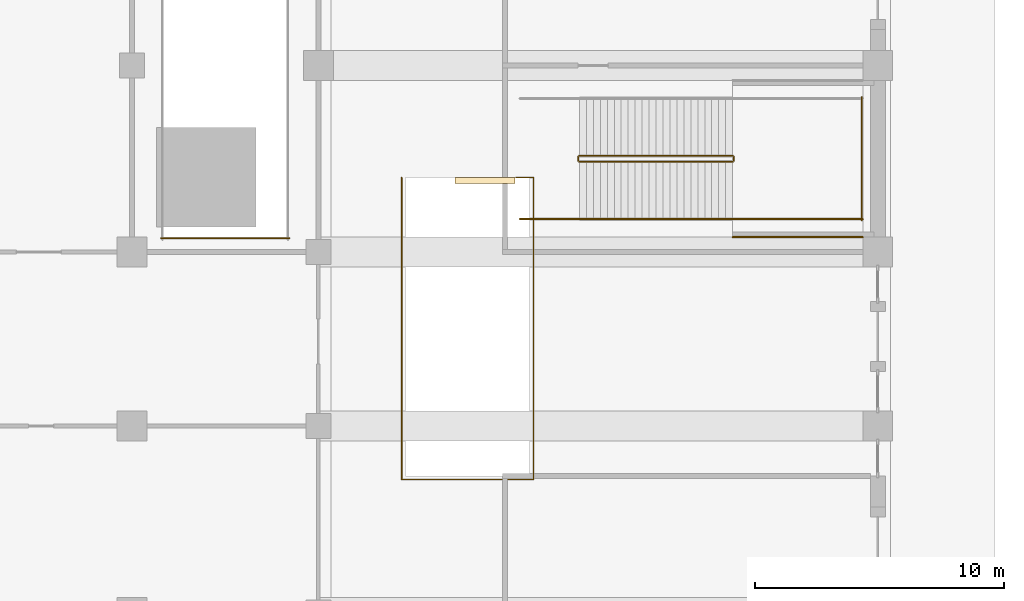
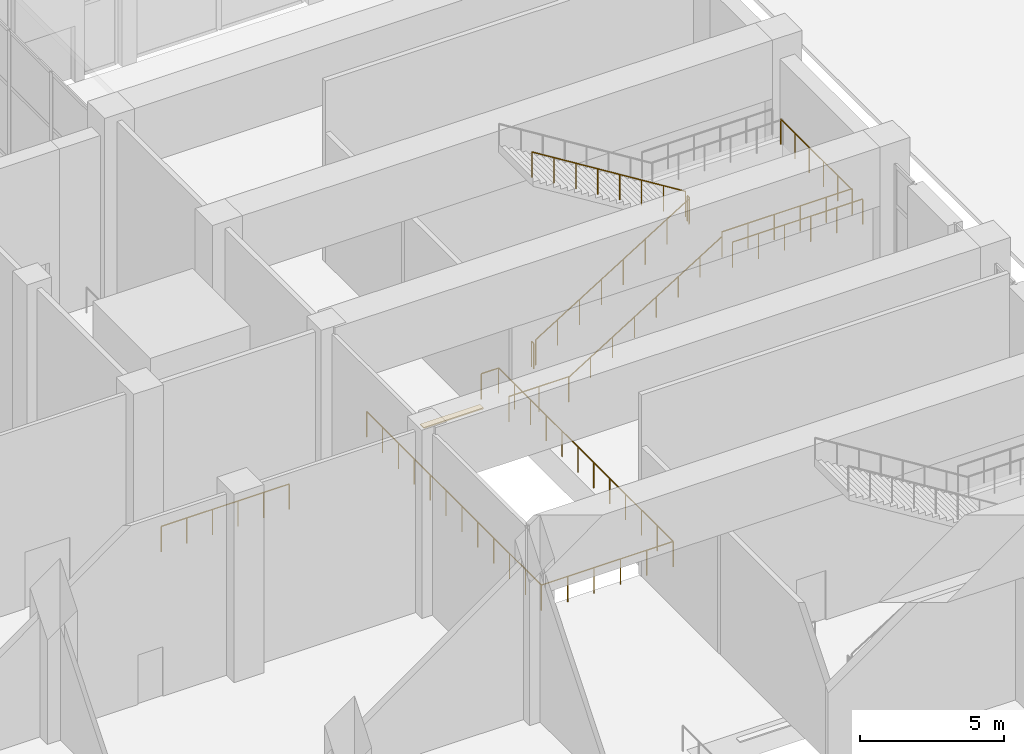
# One storey, part 50 of 57: 11 railings, 1 covering.
"""IFC4 building model written with IfcOpenShell, lengths in metres."""

from ifc_helpers import new_model, si_unit, direction, frame, origin, origin_2d, place, context, subcontext, project, spatial, polyline, circle, outline, extrude, material, layer, layer_set, type_object, element, save


model = new_model("IFC4")

# Units and contexts
model_context = context("Model", 3, precision=1e-05, world=origin(), true_north=direction((0.0, 1.0)))
body_context = subcontext(model_context, "Body", "Model", "MODEL_VIEW")
ifc_project = project(units=[si_unit("LENGTHUNIT", "METRE"), si_unit("AREAUNIT", "SQUARE_METRE"), si_unit("VOLUMEUNIT", "CUBIC_METRE"), si_unit("PLANEANGLEUNIT", "RADIAN"), si_unit("MASSUNIT", "GRAM", prefix="KILO")], contexts=[model_context])

# Site, building, storey
site_placement = place(None, origin())
site = spatial("IfcSite", under=ifc_project, at=site_placement, CompositionType="ELEMENT")
building_placement = place(site_placement, origin())
building = spatial("IfcBuilding", under=site, at=building_placement, Name="Tamorin Gate", CompositionType="ELEMENT")
storey_placement = place(building_placement, origin())
storey = spatial("IfcBuildingStorey", under=building, at=storey_placement, Name="L00", CompositionType="ELEMENT", Elevation=0.0)

# Covering
ifc_material_1 = material(Name="Steel, galvanised", Category="steel")
ifc_layer = layer(ifc_material_1, 0.050048828125)
ifc_layer_set = layer_set([ifc_layer], Name="Escalator landing plate 50")
covering_type = type_object("IfcCoveringType", Name="Escalator landing plate 50", PredefinedType="FLOORING", material=ifc_layer_set)
covering_placement = place(storey_placement, frame((0.0, 0.0, -0.25)))
element("IfcCovering", 1, at=covering_placement, inside=storey, type_object=covering_type, Name="Escalator landing plate", PredefinedType="FLOORING", context=body_context, shape_type="SweptSolid", body=[
    extrude(outline(polyline([(95.0, 99.75), (97.39990234375, 99.75), (97.39990234375, 100.0), (95.0, 100.0), (95.0, 99.75)])), origin(), (0.0, 0.0, 1.0), 0.050048828125),
])

# Railings
ifc_material_2 = material(Name="Steel", Category="steel")
railing_type_1 = type_object("IfcRailingType", Name="Podium guard 1100", PredefinedType="GUARDRAIL", material=ifc_material_2)
railing_1_placement = place(storey_placement, frame((100.0, 100.625, 0.173828125)))
element("IfcRailing", 2, at=railing_1_placement, inside=storey, type_object=railing_type_1, Name="L00 PS4 stair guard 1", PredefinedType="GUARDRAIL", context=body_context, shape_type="SweptSolid", body=[
    extrude(circle(Radius=0.02392578125, at=origin_2d()), frame((0.0, 0.0, 1.076171875), z_axis=(0.849468459523, 0.0, 0.527639399851), x_axis=(0.0, 1.0, 0.0)), (0.0, 0.0, 1.0), 7.25146484375),
    extrude(circle(Radius=0.02099609375, at=origin_2d()), origin(), (0.0, 0.0, 1.0), 1.052001953125),
    extrude(circle(Radius=0.02099609375, at=origin_2d()), frame((0.8798828125, 0.0, 0.546630859375)), (0.0, 0.0, 1.0), 1.052001953125),
    extrude(circle(Radius=0.02099609375, at=origin_2d()), frame((1.760009765625, 0.0, 1.09326171875)), (0.0, 0.0, 1.0), 1.052001953125),
    extrude(circle(Radius=0.02099609375, at=origin_2d()), frame((2.639892578125, 0.0, 1.639892578125)), (0.0, 0.0, 1.0), 1.052001953125),
    extrude(circle(Radius=0.02099609375, at=origin_2d()), frame((3.52001953125, 0.0, 2.186279296875)), (0.0, 0.0, 1.0), 1.052001953125),
    extrude(circle(Radius=0.02099609375, at=origin_2d()), frame((4.39990234375, 0.0, 2.73291015625)), (0.0, 0.0, 1.0), 1.052001953125),
    extrude(circle(Radius=0.02099609375, at=origin_2d()), frame((5.280029296875, 0.0, 3.279541015625)), (0.0, 0.0, 1.0), 1.052001953125),
    extrude(circle(Radius=0.02099609375, at=origin_2d()), frame((6.159912109375, 0.0, 3.826171875)), (0.0, 0.0, 1.0), 1.052001953125),
])
railing_2_placement = place(storey_placement, frame((106.2099609375, 100.675048828125, 4.0)))
element("IfcRailing", 3, at=railing_2_placement, inside=storey, type_object=railing_type_1, Name="L00 PS4 stair guard 2", PredefinedType="GUARDRAIL", context=body_context, shape_type="SweptSolid", body=[
    extrude(circle(Radius=0.02392578125, at=origin_2d()), frame((0.0, 0.0, 1.076171875), z_axis=(0.0, 1.0, 0.0), x_axis=(-1.0, 0.0, 0.0)), (0.0, 0.0, 1.0), 0.14990234375),
    extrude(circle(Radius=0.02099609375, at=origin_2d()), origin(), (0.0, 0.0, 1.0), 1.052001953125),
    extrude(circle(Radius=0.02099609375, at=origin_2d()), frame((0.0, 0.14990234375, 0.0)), (0.0, 0.0, 1.0), 1.052001953125),
])
railing_3_placement = place(storey_placement, frame((106.159912109375, 98.324951171875, 4.0)))
element("IfcRailing", 4, at=railing_3_placement, inside=storey, type_object=railing_type_1, Name="L00 PS4 stair guard 3", PredefinedType="GUARDRAIL", context=body_context, shape_type="SweptSolid", body=[
    extrude(circle(Radius=0.02392578125, at=origin_2d()), frame((0.0, 0.0, 1.076171875), z_axis=(1.0, 0.0, 0.0), x_axis=(0.0, 1.0, 0.0)), (0.0, 0.0, 1.0), 5.239990234375),
    extrude(circle(Radius=0.02099609375, at=origin_2d()), origin(), (0.0, 0.0, 1.0), 1.052001953125),
    extrude(circle(Radius=0.02099609375, at=origin_2d()), frame((1.048095703125, 0.0, 0.0)), (0.0, 0.0, 1.0), 1.052001953125),
    extrude(circle(Radius=0.02099609375, at=origin_2d()), frame((2.095947265625, 0.0, 0.0)), (0.0, 0.0, 1.0), 1.052001953125),
    extrude(circle(Radius=0.02099609375, at=origin_2d()), frame((3.14404296875, 0.0, 0.0)), (0.0, 0.0, 1.0), 1.052001953125),
    extrude(circle(Radius=0.02099609375, at=origin_2d()), frame((4.19189453125, 0.0, 0.0)), (0.0, 0.0, 1.0), 1.052001953125),
    extrude(circle(Radius=0.02099609375, at=origin_2d()), frame((5.239990234375, 0.0, 0.0)), (0.0, 0.0, 1.0), 1.052001953125),
])
railing_4_placement = place(storey_placement, frame((111.35009765625, 98.27490234375, 4.0)))
element("IfcRailing", 5, at=railing_4_placement, inside=storey, type_object=railing_type_1, Name="L00 PS4 stair guard 5", PredefinedType="GUARDRAIL", context=body_context, shape_type="SweptSolid", body=[
    extrude(circle(Radius=0.02392578125, at=origin_2d()), frame((0.0, 0.0, 1.076171875), z_axis=(0.0, 1.0, 0.0), x_axis=(-1.0, 0.0, 0.0)), (0.0, 0.0, 1.0), 4.9501953125),
    extrude(circle(Radius=0.02099609375, at=origin_2d()), origin(), (0.0, 0.0, 1.0), 1.052001953125),
    extrude(circle(Radius=0.02099609375, at=origin_2d()), frame((0.0, 0.989990234375, 0.0)), (0.0, 0.0, 1.0), 1.052001953125),
    extrude(circle(Radius=0.02099609375, at=origin_2d()), frame((0.0, 1.97998046875, 0.0)), (0.0, 0.0, 1.0), 1.052001953125),
    extrude(circle(Radius=0.02099609375, at=origin_2d()), frame((0.0, 2.97021484375, 0.0)), (0.0, 0.0, 1.0), 1.052001953125),
    extrude(circle(Radius=0.02099609375, at=origin_2d()), frame((0.0, 3.960205078125, 0.0)), (0.0, 0.0, 1.0), 1.052001953125),
    extrude(circle(Radius=0.02099609375, at=origin_2d()), frame((0.0, 4.9501953125, 0.0)), (0.0, 0.0, 1.0), 1.052001953125),
])
railing_5_placement = place(storey_placement, frame((106.159912109375, 100.875, 4.173828125)))
element("IfcRailing", 6, at=railing_5_placement, inside=storey, type_object=railing_type_1, Name="L00 PS4 stair guard 6", PredefinedType="GUARDRAIL", context=body_context, shape_type="SweptSolid", body=[
    extrude(circle(Radius=0.02392578125, at=origin_2d()), frame((0.0, 0.0, 1.076171875), z_axis=(-0.849468459523, 0.0, 0.527639399851), x_axis=(0.0, -1.0, 0.0)), (0.0, 0.0, 1.0), 7.25146484375),
    extrude(circle(Radius=0.02099609375, at=origin_2d()), origin(), (0.0, 0.0, 1.0), 1.052001953125),
    extrude(circle(Radius=0.02099609375, at=origin_2d()), frame((-0.8798828125, 0.0, 0.546630859375)), (0.0, 0.0, 1.0), 1.052001953125),
    extrude(circle(Radius=0.02099609375, at=origin_2d()), frame((-1.760009765625, 0.0, 1.09326171875)), (0.0, 0.0, 1.0), 1.052001953125),
    extrude(circle(Radius=0.02099609375, at=origin_2d()), frame((-2.639892578125, 0.0, 1.639892578125)), (0.0, 0.0, 1.0), 1.052001953125),
    extrude(circle(Radius=0.02099609375, at=origin_2d()), frame((-3.52001953125, 0.0, 2.186279296875)), (0.0, 0.0, 1.0), 1.052001953125),
    extrude(circle(Radius=0.02099609375, at=origin_2d()), frame((-4.39990234375, 0.0, 2.73291015625)), (0.0, 0.0, 1.0), 1.052001953125),
    extrude(circle(Radius=0.02099609375, at=origin_2d()), frame((-5.280029296875, 0.0, 3.279541015625)), (0.0, 0.0, 1.0), 1.052001953125),
    extrude(circle(Radius=0.02099609375, at=origin_2d()), frame((-6.159912109375, 0.0, 3.826171875)), (0.0, 0.0, 1.0), 1.052001953125),
])
railing_6_placement = place(storey_placement, frame((99.949951171875, 100.675048828125, 0.0)))
element("IfcRailing", 7, at=railing_6_placement, inside=storey, type_object=railing_type_1, Name="L00 PS4 stair guard 7", PredefinedType="GUARDRAIL", context=body_context, shape_type="SweptSolid", body=[
    extrude(circle(Radius=0.02392578125, at=origin_2d()), frame((0.0, 0.0, 1.076171875), z_axis=(0.0, 1.0, 0.0), x_axis=(-1.0, 0.0, 0.0)), (0.0, 0.0, 1.0), 0.14990234375),
    extrude(circle(Radius=0.02099609375, at=origin_2d()), origin(), (0.0, 0.0, 1.0), 1.052001953125),
    extrude(circle(Radius=0.02099609375, at=origin_2d()), frame((0.0, 0.14990234375, 0.0)), (0.0, 0.0, 1.0), 1.052001953125),
])
railing_7_placement = place(storey_placement, frame((97.60009765625, 98.324951171875, 0.0)))
element("IfcRailing", 8, at=railing_7_placement, inside=storey, type_object=railing_type_1, Name="L00 PS4 stair guard 8", PredefinedType="GUARDRAIL", context=body_context, shape_type="SweptSolid", body=[
    extrude(circle(Radius=0.02392578125, at=origin_2d()), frame((0.0, 0.0, 1.076171875), z_axis=(1.0, 0.0, 0.0), x_axis=(0.0, 1.0, 0.0)), (0.0, 0.0, 1.0), 2.39990234375),
    extrude(circle(Radius=0.02099609375, at=origin_2d()), origin(), (0.0, 0.0, 1.0), 1.052001953125),
    extrude(circle(Radius=0.02099609375, at=origin_2d()), frame((1.199951171875, 0.0, 0.0)), (0.0, 0.0, 1.0), 1.052001953125),
    extrude(circle(Radius=0.02099609375, at=origin_2d()), frame((2.39990234375, 0.0, 0.0)), (0.0, 0.0, 1.0), 1.052001953125),
])
railing_8_placement = place(storey_placement, frame((106.159912109375, 97.60009765625, 4.0)))
element("IfcRailing", 9, at=railing_8_placement, inside=storey, type_object=railing_type_1, Name="Landing edge guard", PredefinedType="GUARDRAIL", context=body_context, shape_type="SweptSolid", body=[
    extrude(circle(Radius=0.02392578125, at=origin_2d()), frame((0.0, 0.0, 1.076171875), z_axis=(1.0, 0.0, 0.0), x_axis=(0.0, 1.0, 0.0)), (0.0, 0.0, 1.0), 5.239990234375),
    extrude(circle(Radius=0.02099609375, at=origin_2d()), origin(), (0.0, 0.0, 1.0), 1.052001953125),
    extrude(circle(Radius=0.02099609375, at=origin_2d()), frame((1.048095703125, 0.0, 0.0)), (0.0, 0.0, 1.0), 1.052001953125),
    extrude(circle(Radius=0.02099609375, at=origin_2d()), frame((2.095947265625, 0.0, 0.0)), (0.0, 0.0, 1.0), 1.052001953125),
    extrude(circle(Radius=0.02099609375, at=origin_2d()), frame((3.14404296875, 0.0, 0.0)), (0.0, 0.0, 1.0), 1.052001953125),
    extrude(circle(Radius=0.02099609375, at=origin_2d()), frame((4.19189453125, 0.0, 0.0)), (0.0, 0.0, 1.0), 1.052001953125),
    extrude(circle(Radius=0.02099609375, at=origin_2d()), frame((5.239990234375, 0.0, 0.0)), (0.0, 0.0, 1.0), 1.052001953125),
])
railing_9_placement = place(storey_placement, frame((83.175048828125, 97.550048828125, 0.0)))
element("IfcRailing", 10, at=railing_9_placement, inside=storey, type_object=railing_type_1, Name="L00 SB5 top well guard 4", PredefinedType="GUARDRAIL", context=body_context, shape_type="SweptSolid", body=[
    extrude(circle(Radius=0.02392578125, at=origin_2d()), frame((0.0, 0.0, 1.076171875), z_axis=(1.0, 0.0, 0.0), x_axis=(0.0, 1.0, 0.0)), (0.0, 0.0, 1.0), 5.14990234375),
    extrude(circle(Radius=0.02099609375, at=origin_2d()), origin(), (0.0, 0.0, 1.0), 1.052001953125),
    extrude(circle(Radius=0.02099609375, at=origin_2d()), frame((1.030029296875, 0.0, 0.0)), (0.0, 0.0, 1.0), 1.052001953125),
    extrude(circle(Radius=0.02099609375, at=origin_2d()), frame((2.06005859375, 0.0, 0.0)), (0.0, 0.0, 1.0), 1.052001953125),
    extrude(circle(Radius=0.02099609375, at=origin_2d()), frame((3.08984375, 0.0, 0.0)), (0.0, 0.0, 1.0), 1.052001953125),
    extrude(circle(Radius=0.02099609375, at=origin_2d()), frame((4.119873046875, 0.0, 0.0)), (0.0, 0.0, 1.0), 1.052001953125),
    extrude(circle(Radius=0.02099609375, at=origin_2d()), frame((5.14990234375, 0.0, 0.0)), (0.0, 0.0, 1.0), 1.052001953125),
])
railing_type_2 = type_object("IfcRailingType", Name="Podium stair handrail 900", PredefinedType="HANDRAIL", material=ifc_material_2)
railing_10_placement = place(storey_placement, frame((100.0, 98.324951171875, 0.173828125)))
element("IfcRailing", 11, at=railing_10_placement, inside=storey, type_object=railing_type_2, Name="L00 PS4 stair handrail 1", PredefinedType="HANDRAIL", context=body_context, shape_type="SweptSolid", body=[
    extrude(circle(Radius=0.02392578125, at=origin_2d()), frame((0.0, 0.0, 0.8759765625), z_axis=(0.849468459523, 0.0, 0.527639399851), x_axis=(0.0, 1.0, 0.0)), (0.0, 0.0, 1.0), 7.25146484375),
    extrude(circle(Radius=0.02099609375, at=origin_2d()), origin(), (0.0, 0.0, 1.0), 0.851806640625),
    extrude(circle(Radius=0.02099609375, at=origin_2d()), frame((0.8798828125, 0.0, 0.546630859375)), (0.0, 0.0, 1.0), 0.851806640625),
    extrude(circle(Radius=0.02099609375, at=origin_2d()), frame((1.760009765625, 0.0, 1.09326171875)), (0.0, 0.0, 1.0), 0.851806640625),
    extrude(circle(Radius=0.02099609375, at=origin_2d()), frame((2.639892578125, 0.0, 1.639892578125)), (0.0, 0.0, 1.0), 0.851806640625),
    extrude(circle(Radius=0.02099609375, at=origin_2d()), frame((3.52001953125, 0.0, 2.186279296875)), (0.0, 0.0, 1.0), 0.851806640625),
    extrude(circle(Radius=0.02099609375, at=origin_2d()), frame((4.39990234375, 0.0, 2.73291015625)), (0.0, 0.0, 1.0), 0.851806640625),
    extrude(circle(Radius=0.02099609375, at=origin_2d()), frame((5.280029296875, 0.0, 3.279541015625)), (0.0, 0.0, 1.0), 0.851806640625),
    extrude(circle(Radius=0.02099609375, at=origin_2d()), frame((6.159912109375, 0.0, 3.826171875)), (0.0, 0.0, 1.0), 0.851806640625),
])
railing_type_3 = type_object("IfcRailingType", Name="Station barrier 1100", PredefinedType="GUARDRAIL", material=ifc_material_2)
railing_11_placement = place(storey_placement, frame((92.85009765625, 100.0, 0.0)))
element("IfcRailing", 12, at=railing_11_placement, inside=storey, type_object=railing_type_3, Name="Station void barrier", PredefinedType="GUARDRAIL", context=body_context, shape_type="SweptSolid", body=[
    extrude(circle(Radius=0.02392578125, at=origin_2d()), frame((0.0, 0.0, 1.076171875), z_axis=(0.0, -1.0, 0.0), x_axis=(1.0, 0.0, 0.0)), (0.0, 0.0, 1.0), 12.14990234375),
    extrude(circle(Radius=0.02392578125, at=origin_2d()), frame((0.0, -12.14990234375, 1.076171875), z_axis=(1.0, 0.0, 0.0), x_axis=(0.0, 1.0, 0.0)), (0.0, 0.0, 1.0), 5.2998046875),
    extrude(circle(Radius=0.02392578125, at=origin_2d()), frame((5.2998046875, -12.14990234375, 1.076171875), z_axis=(0.0, 1.0, 0.0), x_axis=(-1.0, 0.0, 0.0)), (0.0, 0.0, 1.0), 12.14990234375),
    extrude(circle(Radius=0.02392578125, at=origin_2d()), frame((5.2998046875, 0.0, 1.076171875), z_axis=(-1.0, 0.0, 0.0), x_axis=(0.0, -1.0, 0.0)), (0.0, 0.0, 1.0), 0.699951171875),
    extrude(circle(Radius=0.02099609375, at=origin_2d()), origin(), (0.0, 0.0, 1.0), 1.052001953125),
    extrude(circle(Radius=0.02099609375, at=origin_2d()), frame((0.0, -1.1044921875, 0.0)), (0.0, 0.0, 1.0), 1.052001953125),
    extrude(circle(Radius=0.02099609375, at=origin_2d()), frame((0.0, -2.208984375, 0.0)), (0.0, 0.0, 1.0), 1.052001953125),
    extrude(circle(Radius=0.02099609375, at=origin_2d()), frame((0.0, -3.313720703125, 0.0)), (0.0, 0.0, 1.0), 1.052001953125),
    extrude(circle(Radius=0.02099609375, at=origin_2d()), frame((0.0, -4.418212890625, 0.0)), (0.0, 0.0, 1.0), 1.052001953125),
    extrude(circle(Radius=0.02099609375, at=origin_2d()), frame((0.0, -5.522705078125, 0.0)), (0.0, 0.0, 1.0), 1.052001953125),
    extrude(circle(Radius=0.02099609375, at=origin_2d()), frame((0.0, -6.627197265625, 0.0)), (0.0, 0.0, 1.0), 1.052001953125),
    extrude(circle(Radius=0.02099609375, at=origin_2d()), frame((0.0, -7.731689453125, 0.0)), (0.0, 0.0, 1.0), 1.052001953125),
    extrude(circle(Radius=0.02099609375, at=origin_2d()), frame((0.0, -8.836181640625, 0.0)), (0.0, 0.0, 1.0), 1.052001953125),
    extrude(circle(Radius=0.02099609375, at=origin_2d()), frame((0.0, -9.94091796875, 0.0)), (0.0, 0.0, 1.0), 1.052001953125),
    extrude(circle(Radius=0.02099609375, at=origin_2d()), frame((0.0, -11.04541015625, 0.0)), (0.0, 0.0, 1.0), 1.052001953125),
    extrude(circle(Radius=0.02099609375, at=origin_2d()), frame((0.0, -12.14990234375, 0.0)), (0.0, 0.0, 1.0), 1.052001953125),
    extrude(circle(Radius=0.02099609375, at=origin_2d()), frame((1.06005859375, -12.14990234375, 0.0)), (0.0, 0.0, 1.0), 1.052001953125),
    extrude(circle(Radius=0.02099609375, at=origin_2d()), frame((2.119873046875, -12.14990234375, 0.0)), (0.0, 0.0, 1.0), 1.052001953125),
    extrude(circle(Radius=0.02099609375, at=origin_2d()), frame((3.179931640625, -12.14990234375, 0.0)), (0.0, 0.0, 1.0), 1.052001953125),
    extrude(circle(Radius=0.02099609375, at=origin_2d()), frame((4.23974609375, -12.14990234375, 0.0)), (0.0, 0.0, 1.0), 1.052001953125),
    extrude(circle(Radius=0.02099609375, at=origin_2d()), frame((5.2998046875, -12.14990234375, 0.0)), (0.0, 0.0, 1.0), 1.052001953125),
    extrude(circle(Radius=0.02099609375, at=origin_2d()), frame((5.2998046875, -11.04541015625, 0.0)), (0.0, 0.0, 1.0), 1.052001953125),
    extrude(circle(Radius=0.02099609375, at=origin_2d()), frame((5.2998046875, -9.94091796875, 0.0)), (0.0, 0.0, 1.0), 1.052001953125),
    extrude(circle(Radius=0.02099609375, at=origin_2d()), frame((5.2998046875, -8.836181640625, 0.0)), (0.0, 0.0, 1.0), 1.052001953125),
    extrude(circle(Radius=0.02099609375, at=origin_2d()), frame((5.2998046875, -7.731689453125, 0.0)), (0.0, 0.0, 1.0), 1.052001953125),
    extrude(circle(Radius=0.02099609375, at=origin_2d()), frame((5.2998046875, -6.627197265625, 0.0)), (0.0, 0.0, 1.0), 1.052001953125),
    extrude(circle(Radius=0.02099609375, at=origin_2d()), frame((5.2998046875, -5.522705078125, 0.0)), (0.0, 0.0, 1.0), 1.052001953125),
    extrude(circle(Radius=0.02099609375, at=origin_2d()), frame((5.2998046875, -4.418212890625, 0.0)), (0.0, 0.0, 1.0), 1.052001953125),
    extrude(circle(Radius=0.02099609375, at=origin_2d()), frame((5.2998046875, -3.313720703125, 0.0)), (0.0, 0.0, 1.0), 1.052001953125),
    extrude(circle(Radius=0.02099609375, at=origin_2d()), frame((5.2998046875, -2.208984375, 0.0)), (0.0, 0.0, 1.0), 1.052001953125),
    extrude(circle(Radius=0.02099609375, at=origin_2d()), frame((5.2998046875, -1.1044921875, 0.0)), (0.0, 0.0, 1.0), 1.052001953125),
    extrude(circle(Radius=0.02099609375, at=origin_2d()), frame((5.2998046875, 0.0, 0.0)), (0.0, 0.0, 1.0), 1.052001953125),
    extrude(circle(Radius=0.02099609375, at=origin_2d()), frame((4.599853515625, 0.0, 0.0)), (0.0, 0.0, 1.0), 1.052001953125),
])

save(model, "model.ifc")
